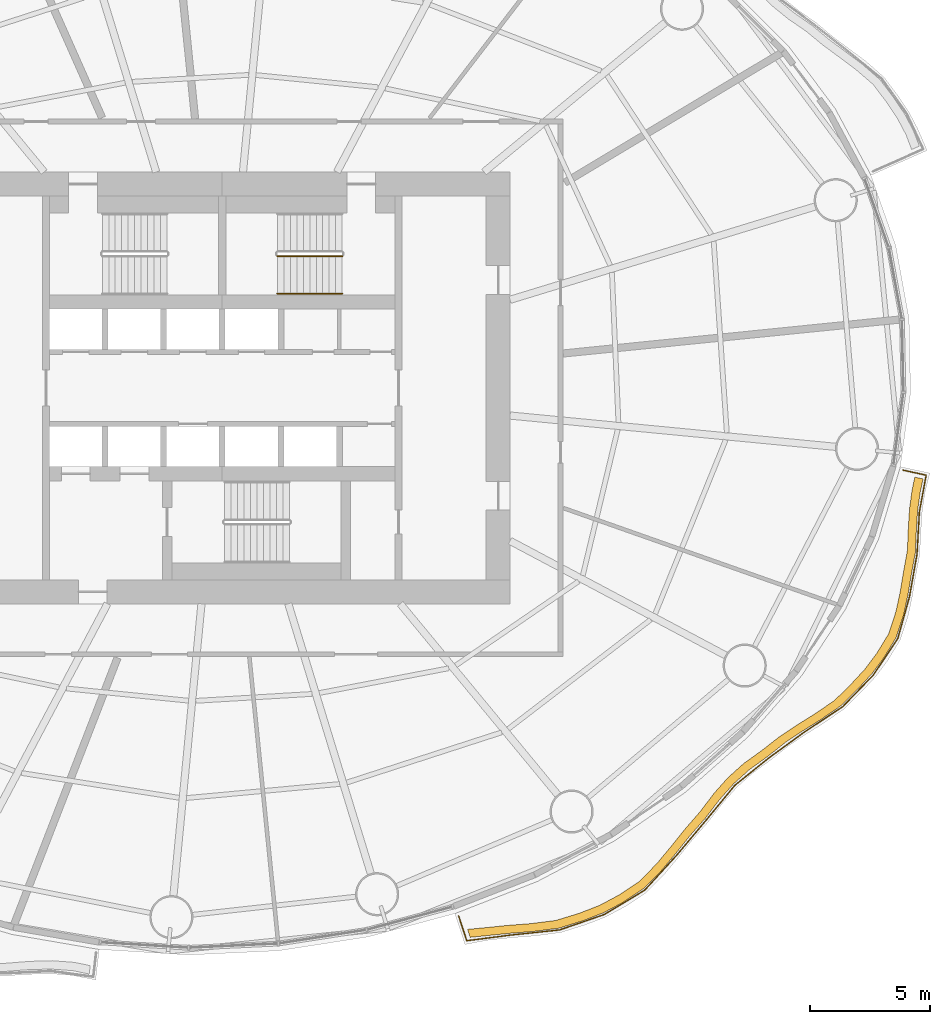
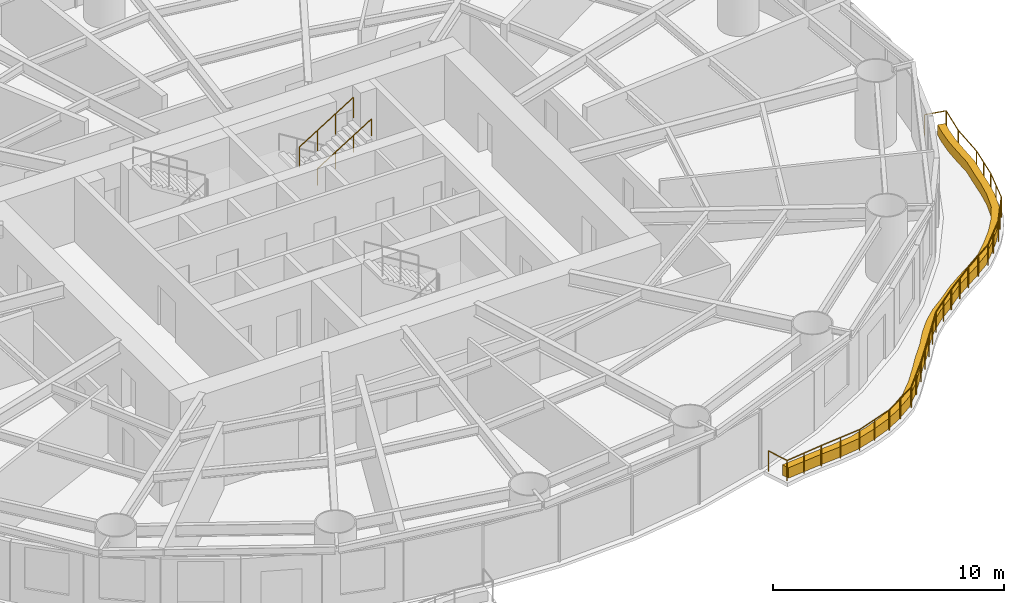
# One storey, part 14 of 16: 3 railings, 1 covering.
"""IFC4 building model written with IfcOpenShell, lengths in metres."""

from ifc_helpers import new_model, si_unit, direction, frame, origin, origin_2d, place, context, subcontext, project, spatial, polyline, circle, outline, extrude, material, type_object, element, save


model = new_model("IFC4")

# Units and contexts
model_context = context("Model", 3, precision=1e-05, world=origin(), true_north=direction((0.0, 1.0)))
body_context = subcontext(model_context, "Body", "Model", "MODEL_VIEW")
ifc_project = project(units=[si_unit("LENGTHUNIT", "METRE"), si_unit("AREAUNIT", "SQUARE_METRE"), si_unit("VOLUMEUNIT", "CUBIC_METRE"), si_unit("PLANEANGLEUNIT", "RADIAN"), si_unit("MASSUNIT", "GRAM", prefix="KILO")], contexts=[model_context])

# Site, building, storey
site_placement = place(None, origin())
site = spatial("IfcSite", under=ifc_project, at=site_placement, CompositionType="ELEMENT")
building_placement = place(site_placement, origin())
building = spatial("IfcBuilding", under=site, at=building_placement, Name="Vermilion Reach Broadcast Tower", CompositionType="ELEMENT")
storey_placement = place(building_placement, frame((0.0, 0.0, 58.199951171875)))
storey = spatial("IfcBuildingStorey", under=building, at=storey_placement, Name="L11", CompositionType="ELEMENT", Elevation=58.199951171875)

# Covering
ifc_material_1 = material(Name="Planting soil and greenery")
covering_type = type_object("IfcCoveringType", Name="Balcony PLANTER", PredefinedType="USERDEFINED", material=ifc_material_1)
covering_placement = place(storey_placement, origin())
element("IfcCovering", 1, at=covering_placement, inside=storey, type_object=covering_type, Name="PLANTER L11 group 4", ObjectType="PLANTER", PredefinedType="USERDEFINED", context=body_context, shape_type="SweptSolid", body=[
    extrude(outline(polyline([(4.33642578125, -22.904541015625), (5.047119140625, -22.832275390625), (6.001953125, -22.735107421875), (6.9658203125, -22.660400390625), (8.034423828125, -22.522705078125), (9.037353515625, -22.214111328125), (9.89111328125, -21.881591796875), (10.695068359375, -21.454345703125), (11.56982421875, -20.86962890625), (12.30712890625, -20.126953125), (12.900390625, -19.41455078125), (13.482666015625, -18.6865234375), (14.145751953125, -17.929443359375), (14.73681640625, -17.156982421875), (15.32080078125, -16.501953125), (15.969482421875, -15.919921875), (16.739013671875, -15.36328125), (17.47607421875, -14.781494140625), (18.20849609375, -14.293701171875), (18.960693359375, -13.823486328125), (19.799072265625, -13.243408203125), (20.5, -12.547607421875), (21.069580078125, -11.93212890625), (21.569580078125, -11.270751953125), (22.08935546875, -10.41650390625), (22.399658203125, -9.47998046875), (22.576416015625, -8.6708984375), (22.713623046875, -7.8427734375), (22.88916015625, -6.898193359375), (22.9345703125, -5.958984375), (22.984130859375, -5.1484375), (23.093505859375, -4.35595703125), (23.214111328125, -3.794921875), (22.8720703125, -3.720458984375), (22.75830078125, -4.255126953125), (22.649169921875, -5.047607421875), (22.599365234375, -5.858154296875), (22.5625, -6.772705078125), (22.397216796875, -7.693359375), (22.260009765625, -8.521240234375), (22.0830078125, -9.33056640625), (21.784423828125, -10.244873046875), (21.27734375, -11.077880859375), (20.777587890625, -11.7392578125), (20.2080078125, -12.354736328125), (19.520751953125, -13.03125), (18.697265625, -13.593017578125), (17.945068359375, -14.063232421875), (17.212646484375, -14.551025390625), (16.490966796875, -15.116455078125), (15.737548828125, -15.65771484375), (15.089111328125, -16.23974609375), (14.505126953125, -16.894775390625), (13.930419921875, -17.653564453125), (13.28466796875, -18.39794921875), (12.7021484375, -19.1259765625), (12.109130859375, -19.83837890625), (11.38916015625, -20.570068359375), (10.531982421875, -21.144775390625), (9.728271484375, -21.572021484375), (8.874267578125, -21.904296875), (7.88916015625, -22.2041015625), (6.838623046875, -22.334228515625), (5.874755859375, -22.408935546875), (4.919921875, -22.506103515625), (4.227294921875, -22.572021484375), (4.33642578125, -22.904541015625)])), origin(), (0.0, 0.0, 1.0), 0.550048828125),
])

# Railings
ifc_material_2 = material(Name="Stainless steel 316 balustrade", Category="steel")
railing_type_1 = type_object("IfcRailingType", Name="Balcony guard 1100", PredefinedType="BALUSTRADE", material=ifc_material_2)
railing_1_placement = place(storey_placement, frame((3.855712890625, -22.015869140625, 0.0)))
element("IfcRailing", 2, at=railing_1_placement, inside=storey, type_object=railing_type_1, Name="Balcony guard L11 group 4", PredefinedType="BALUSTRADE", context=body_context, shape_type="SweptSolid", body=[
    extrude(circle(Radius=0.02490234375, at=origin_2d()), frame((0.0, 0.0, 1.0751953125), z_axis=(0.31169734749, -0.950181437183, 0.0), x_axis=(0.950181437183, 0.31169734749, 0.0)), (0.0, 0.0, 1.0), 1.083984375),
    extrude(circle(Radius=0.02490234375, at=origin_2d()), frame((0.337890625, -1.030029296875, 1.0751953125), z_axis=(0.991829582977, 0.12756989587, 0.0), x_axis=(-0.12756989587, 0.991829582977, 0.0)), (0.0, 0.0, 1.0), 1.8525390625),
    extrude(circle(Radius=0.02490234375, at=origin_2d()), frame((2.17529296875, -0.793701171875, 1.0751953125), z_axis=(0.994519162654, 0.104554460039, 0.0), x_axis=(-0.104554460039, 0.994519162654, 0.0)), (0.0, 0.0, 1.0), 2.0478515625),
    extrude(circle(Radius=0.02490234375, at=origin_2d()), frame((4.2119140625, -0.57958984375, 1.0751953125), z_axis=(0.945154016743, 0.326624990829, 0.0), x_axis=(-0.326624990829, 0.945154016743, 0.0)), (0.0, 0.0, 1.0), 1.96875),
    extrude(circle(Radius=0.02490234375, at=origin_2d()), frame((6.07275390625, 0.0634765625, 1.0751953125), z_axis=(0.856493614346, 0.516157619903, 0.0), x_axis=(-0.516157619903, 0.856493614346, 0.0)), (0.0, 0.0, 1.0), 1.96484375),
    extrude(circle(Radius=0.02490234375, at=origin_2d()), frame((7.755615234375, 1.07763671875, 1.0751953125), z_axis=(0.675159398205, 0.737671869475, 0.0), x_axis=(-0.737671869475, 0.675159398205, 0.0)), (0.0, 0.0, 1.0), 1.97607421875),
    extrude(circle(Radius=0.02490234375, at=origin_2d()), frame((9.08984375, 2.535400390625, 1.0751953125), z_axis=(0.643059475968, 0.765816237989, 0.0), x_axis=(-0.765816237989, 0.643059475968, 0.0)), (0.0, 0.0, 1.0), 1.943115234375),
    extrude(circle(Radius=0.02490234375, at=origin_2d()), frame((10.33935546875, 4.0234375, 1.0751953125), z_axis=(0.635938071709, 0.771740091579, 0.0), x_axis=(-0.771740091579, 0.635938071709, 0.0)), (0.0, 0.0, 1.0), 1.853515625),
    extrude(circle(Radius=0.02490234375, at=origin_2d()), frame((11.51806640625, 5.453857421875, 1.0751953125), z_axis=(0.779574289162, 0.626309769744, 0.0), x_axis=(-0.626309769744, 0.779574289162, 0.0)), (0.0, 0.0, 1.0), 1.823974609375),
    extrude(circle(Radius=0.02490234375, at=origin_2d()), frame((12.93994140625, 6.59619140625, 1.0751953125), z_axis=(0.80820279414, 0.588904273668, 0.0), x_axis=(-0.588904273668, 0.80820279414, 0.0)), (0.0, 0.0, 1.0), 1.822509765625),
    extrude(circle(Radius=0.02490234375, at=origin_2d()), frame((14.412841796875, 7.66943359375, 1.0751953125), z_axis=(0.83400999335, 0.551749337102, 0.0), x_axis=(-0.551749337102, 0.83400999335, 0.0)), (0.0, 0.0, 1.0), 1.91162109375),
    extrude(circle(Radius=0.02490234375, at=origin_2d()), frame((16.007080078125, 8.72412109375, 1.0751953125), z_axis=(0.695614635886, 0.718415115613, 0.0), x_axis=(-0.718415115613, 0.695614635886, 0.0)), (0.0, 0.0, 1.0), 1.8310546875),
    extrude(circle(Radius=0.02490234375, at=origin_2d()), frame((17.28076171875, 10.03955078125, 1.0751953125), z_axis=(0.558046621382, 0.829809597657, 0.0), x_axis=(-0.829809597657, 0.558046621382, 0.0)), (0.0, 0.0, 1.0), 1.832763671875),
    extrude(circle(Radius=0.02490234375, at=origin_2d()), frame((18.303466796875, 11.560302734375, 1.0751953125), z_axis=(0.269395797905, 0.963029544755, 0.0), x_axis=(-0.963029544755, 0.269395797905, 0.0)), (0.0, 0.0, 1.0), 1.81787109375),
    extrude(circle(Radius=0.02490234375, at=origin_2d()), frame((18.793212890625, 13.31103515625, 1.0751953125), z_axis=(0.174410039129, 0.984673112384, 0.0), x_axis=(-0.984673112384, 0.174410039129, 0.0)), (0.0, 0.0, 1.0), 1.8056640625),
    extrude(circle(Radius=0.02490234375, at=origin_2d()), frame((19.108154296875, 15.089111328125, 1.0751953125), z_axis=(0.05513924521, 0.998478674603, 0.0), x_axis=(-0.998478674603, 0.05513924521, 0.0)), (0.0, 0.0, 1.0), 1.7578125),
    extrude(circle(Radius=0.02490234375, at=origin_2d()), frame((19.205078125, 16.84423828125, 1.0751953125), z_axis=(0.181780616556, 0.983339111113, 0.0), x_axis=(-0.983339111113, 0.181780616556, 0.0)), (0.0, 0.0, 1.0), 1.557861328125),
    extrude(circle(Radius=0.02490234375, at=origin_2d()), frame((19.48828125, 18.376220703125, 1.0751953125), z_axis=(-0.977014821689, 0.213171382228, 0.0), x_axis=(-0.213171382228, -0.977014821689, 0.0)), (0.0, 0.0, 1.0), 0.98388671875),
    extrude(circle(Radius=0.02490234375, at=origin_2d()), origin(), (0.0, 0.0, 1.0), 1.050048828125),
    extrude(circle(Radius=0.02490234375, at=origin_2d()), frame((0.337890625, -1.030029296875, 0.0)), (0.0, 0.0, 1.0), 1.050048828125),
    extrude(circle(Radius=0.02490234375, at=origin_2d()), frame((1.256591796875, -0.911865234375, 0.0)), (0.0, 0.0, 1.0), 1.050048828125),
    extrude(circle(Radius=0.02490234375, at=origin_2d()), frame((2.17529296875, -0.793701171875, 0.0)), (0.0, 0.0, 1.0), 1.050048828125),
    extrude(circle(Radius=0.02490234375, at=origin_2d()), frame((3.193603515625, -0.6865234375, 0.0)), (0.0, 0.0, 1.0), 1.050048828125),
    extrude(circle(Radius=0.02490234375, at=origin_2d()), frame((4.2119140625, -0.57958984375, 0.0)), (0.0, 0.0, 1.0), 1.050048828125),
    extrude(circle(Radius=0.02490234375, at=origin_2d()), frame((5.142333984375, -0.258056640625, 0.0)), (0.0, 0.0, 1.0), 1.050048828125),
    extrude(circle(Radius=0.02490234375, at=origin_2d()), frame((6.07275390625, 0.0634765625, 0.0)), (0.0, 0.0, 1.0), 1.050048828125),
    extrude(circle(Radius=0.02490234375, at=origin_2d()), frame((6.9140625, 0.570556640625, 0.0)), (0.0, 0.0, 1.0), 1.050048828125),
    extrude(circle(Radius=0.02490234375, at=origin_2d()), frame((7.755615234375, 1.07763671875, 0.0)), (0.0, 0.0, 1.0), 1.050048828125),
    extrude(circle(Radius=0.02490234375, at=origin_2d()), frame((8.4228515625, 1.806640625, 0.0)), (0.0, 0.0, 1.0), 1.050048828125),
    extrude(circle(Radius=0.02490234375, at=origin_2d()), frame((9.08984375, 2.535400390625, 0.0)), (0.0, 0.0, 1.0), 1.050048828125),
    extrude(circle(Radius=0.02490234375, at=origin_2d()), frame((9.714599609375, 3.279296875, 0.0)), (0.0, 0.0, 1.0), 1.050048828125),
    extrude(circle(Radius=0.02490234375, at=origin_2d()), frame((10.33935546875, 4.0234375, 0.0)), (0.0, 0.0, 1.0), 1.050048828125),
    extrude(circle(Radius=0.02490234375, at=origin_2d()), frame((10.9287109375, 4.73876953125, 0.0)), (0.0, 0.0, 1.0), 1.050048828125),
    extrude(circle(Radius=0.02490234375, at=origin_2d()), frame((11.51806640625, 5.453857421875, 0.0)), (0.0, 0.0, 1.0), 1.050048828125),
    extrude(circle(Radius=0.02490234375, at=origin_2d()), frame((12.22900390625, 6.02490234375, 0.0)), (0.0, 0.0, 1.0), 1.050048828125),
    extrude(circle(Radius=0.02490234375, at=origin_2d()), frame((12.93994140625, 6.59619140625, 0.0)), (0.0, 0.0, 1.0), 1.050048828125),
    extrude(circle(Radius=0.02490234375, at=origin_2d()), frame((13.67626953125, 7.1328125, 0.0)), (0.0, 0.0, 1.0), 1.050048828125),
    extrude(circle(Radius=0.02490234375, at=origin_2d()), frame((14.412841796875, 7.66943359375, 0.0)), (0.0, 0.0, 1.0), 1.050048828125),
    extrude(circle(Radius=0.02490234375, at=origin_2d()), frame((15.2099609375, 8.19677734375, 0.0)), (0.0, 0.0, 1.0), 1.050048828125),
    extrude(circle(Radius=0.02490234375, at=origin_2d()), frame((16.007080078125, 8.72412109375, 0.0)), (0.0, 0.0, 1.0), 1.050048828125),
    extrude(circle(Radius=0.02490234375, at=origin_2d()), frame((16.64404296875, 9.3818359375, 0.0)), (0.0, 0.0, 1.0), 1.050048828125),
    extrude(circle(Radius=0.02490234375, at=origin_2d()), frame((17.28076171875, 10.03955078125, 0.0)), (0.0, 0.0, 1.0), 1.050048828125),
    extrude(circle(Radius=0.02490234375, at=origin_2d()), frame((17.7919921875, 10.7998046875, 0.0)), (0.0, 0.0, 1.0), 1.050048828125),
    extrude(circle(Radius=0.02490234375, at=origin_2d()), frame((18.303466796875, 11.560302734375, 0.0)), (0.0, 0.0, 1.0), 1.050048828125),
    extrude(circle(Radius=0.02490234375, at=origin_2d()), frame((18.54833984375, 12.435546875, 0.0)), (0.0, 0.0, 1.0), 1.050048828125),
    extrude(circle(Radius=0.02490234375, at=origin_2d()), frame((18.793212890625, 13.31103515625, 0.0)), (0.0, 0.0, 1.0), 1.050048828125),
    extrude(circle(Radius=0.02490234375, at=origin_2d()), frame((18.95068359375, 14.2001953125, 0.0)), (0.0, 0.0, 1.0), 1.050048828125),
    extrude(circle(Radius=0.02490234375, at=origin_2d()), frame((19.108154296875, 15.089111328125, 0.0)), (0.0, 0.0, 1.0), 1.050048828125),
    extrude(circle(Radius=0.02490234375, at=origin_2d()), frame((19.205078125, 16.84423828125, 0.0)), (0.0, 0.0, 1.0), 1.050048828125),
    extrude(circle(Radius=0.02490234375, at=origin_2d()), frame((19.48828125, 18.376220703125, 0.0)), (0.0, 0.0, 1.0), 1.050048828125),
    extrude(circle(Radius=0.02490234375, at=origin_2d()), frame((18.527099609375, 18.5859375, 0.0)), (0.0, 0.0, 1.0), 1.050048828125),
])
ifc_material_3 = material(Name="Stainless steel", Category="steel")
railing_type_2 = type_object("IfcRailingType", Name="Stair guard 1100", PredefinedType="GUARDRAIL", material=ifc_material_3)
railing_2_placement = place(storey_placement, frame((-3.699951171875, 5.489990234375, 2.018310546875)))
element("IfcRailing", 3, at=railing_2_placement, inside=storey, type_object=railing_type_2, Name="L11 ST2 stair guard 3", PredefinedType="GUARDRAIL", context=body_context, shape_type="SweptSolid", body=[
    extrude(circle(Radius=0.02392578125, at=origin_2d()), frame((0.0, 0.0, 1.076171875), z_axis=(0.84882087487, 0.0, 0.528680548522), x_axis=(0.0, 1.0, 0.0)), (0.0, 0.0, 1.0), 3.180908203125),
    extrude(circle(Radius=0.02099609375, at=origin_2d()), origin(), (0.0, 0.0, 1.0), 1.052001953125),
    extrude(circle(Radius=0.02099609375, at=origin_2d()), frame((0.89990234375, 0.0, 0.560546875)), (0.0, 0.0, 1.0), 1.052001953125),
    extrude(circle(Radius=0.02099609375, at=origin_2d()), frame((1.800048828125, 0.0, 1.12109375)), (0.0, 0.0, 1.0), 1.052001953125),
    extrude(circle(Radius=0.02099609375, at=origin_2d()), frame((2.699951171875, 0.0, 1.681640625)), (0.0, 0.0, 1.0), 1.052001953125),
])
ifc_material_4 = material(Name="Stainless steel", Category="steel")
railing_type_3 = type_object("IfcRailingType", Name="Stair handrail", PredefinedType="HANDRAIL", material=ifc_material_4)
railing_3_placement = place(storey_placement, frame((-3.699951171875, 3.929931640625, 2.018310546875)))
element("IfcRailing", 4, at=railing_3_placement, inside=storey, type_object=railing_type_3, Name="L11 ST2 stair handrail 2", PredefinedType="HANDRAIL", context=body_context, shape_type="SweptSolid", body=[
    extrude(circle(Radius=0.02392578125, at=origin_2d()), frame((0.0, 0.0, 0.8759765625), z_axis=(0.84882087487, 0.0, 0.528680548522), x_axis=(0.0, 1.0, 0.0)), (0.0, 0.0, 1.0), 3.180908203125),
    extrude(circle(Radius=0.02099609375, at=origin_2d()), origin(), (0.0, 0.0, 1.0), 0.851806640625),
    extrude(circle(Radius=0.02099609375, at=origin_2d()), frame((0.89990234375, 0.0, 0.560546875)), (0.0, 0.0, 1.0), 0.851806640625),
    extrude(circle(Radius=0.02099609375, at=origin_2d()), frame((1.800048828125, 0.0, 1.12109375)), (0.0, 0.0, 1.0), 0.851806640625),
    extrude(circle(Radius=0.02099609375, at=origin_2d()), frame((2.699951171875, 0.0, 1.681640625)), (0.0, 0.0, 1.0), 0.851806640625),
])

save(model, "model.ifc")
